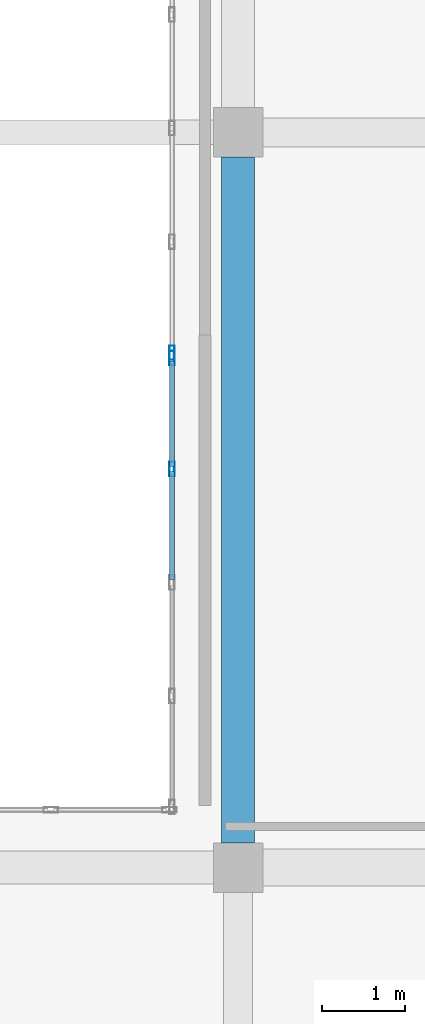
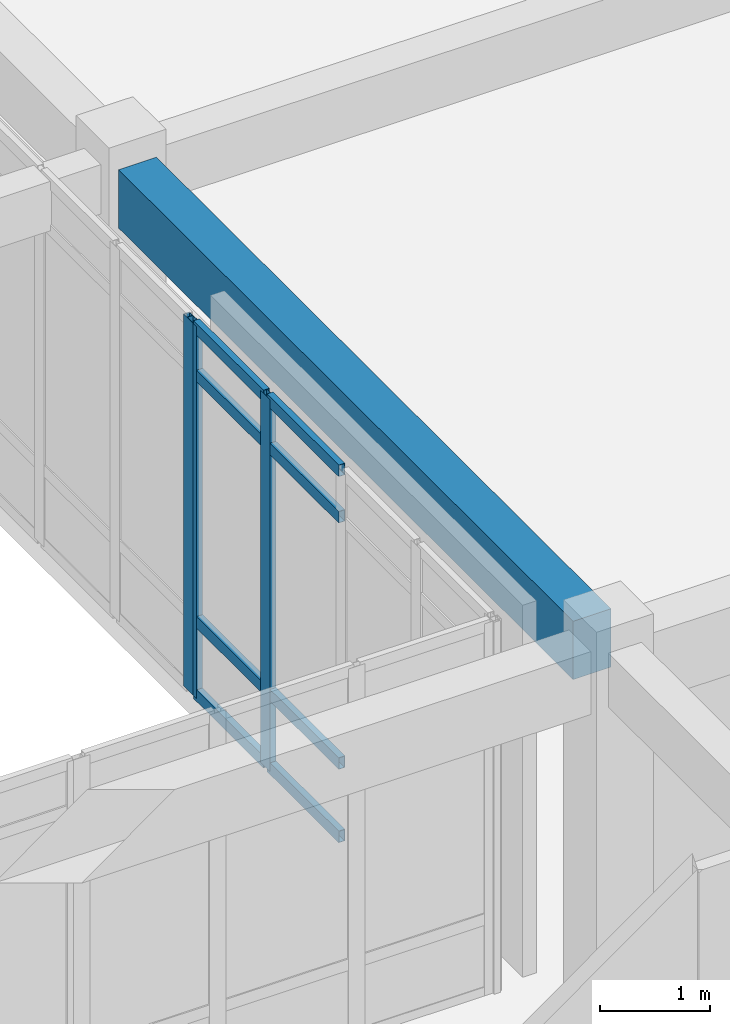
# One storey, part 86 of 142: 11 members, 1 beam, 2 elements without a shape of their own.
"""IFC4 building model written with IfcOpenShell, lengths in metres."""

from ifc_helpers import new_model, si_unit, direction, frame, origin, origin_2d, place, context, subcontext, project, spatial, rectangle, hollow_rectangle, extrude, material, layer, layer_set, material_profile, profile_set, type_object, element, aggregate, save


model = new_model("IFC4")

# Units and contexts
model_context = context("Model", 3, precision=1e-05, world=origin(), true_north=direction((0.0, 1.0)))
body_context = subcontext(model_context, "Body", "Model", "MODEL_VIEW")
ifc_project = project(units=[si_unit("LENGTHUNIT", "METRE"), si_unit("AREAUNIT", "SQUARE_METRE"), si_unit("VOLUMEUNIT", "CUBIC_METRE"), si_unit("PLANEANGLEUNIT", "RADIAN"), si_unit("MASSUNIT", "GRAM", prefix="KILO")], contexts=[model_context])

# Site, building, storey
site_placement = place(None, origin())
site = spatial("IfcSite", under=ifc_project, at=site_placement, CompositionType="ELEMENT")
building_placement = place(site_placement, origin())
building = spatial("IfcBuilding", under=site, at=building_placement, Name="Valcora Specialist Clinic", CompositionType="ELEMENT")
storey_placement = place(building_placement, frame((0.0, 0.0, 5.10009765625)))
storey = spatial("IfcBuildingStorey", under=building, at=storey_placement, Name="L01", CompositionType="ELEMENT", Elevation=5.10009765625)

# Beam
ifc_material_1 = material(Name="Concrete C40/50", Category="concrete")
ifc_material_profile_1 = material_profile(ifc_material_1, rectangle(XDim=0.39990234375, YDim=0.64990234375, at=origin_2d()), Name="RC-BM-400X650")
ifc_profile_set_1 = profile_set([ifc_material_profile_1], Name="Concrete C40/50")
beam_type = type_object("IfcBeamType", Name="TY-BM-RC400X650", PredefinedType="BEAM", material=ifc_profile_set_1)
beam_placement = place(storey_placement, frame((126.0, 81.60009765625, 3.81982421875), z_axis=(0.0, 1.0, 0.0), x_axis=(-1.0, 0.0, 0.0)))
element("IfcBeam", 1, at=beam_placement, inside=storey, type_object=beam_type, Name="Beam BM-L01-0685", PredefinedType="BEAM", context=body_context, shape_type="SweptSolid", body=[
    extrude(rectangle(XDim=0.39990234375, YDim=0.64990234375, at=origin_2d()), origin(), (0.0, 0.0, 1.0), 8.2998046875),
])

# Curtain wall, members
ifc_material_2 = material(Name="Anodized Bronze Aluminium 6063-T6", Category="aluminium")
ifc_layer = layer(ifc_material_2, 0.175048828125)
ifc_layer_set = layer_set([ifc_layer], Name="Anodized Bronze Aluminium 6063-T6")
curtain_wall_type = type_object("IfcCurtainWallType", Name="TY-CW-CRT15", PredefinedType="NOTDEFINED", material=ifc_layer_set)
curtain_wall_1_placement = place(storey_placement, origin())
curtain_wall_1 = element("IfcCurtainWall", 2, at=curtain_wall_1_placement, inside=storey, type_object=curtain_wall_type, Name="Curtain wall CW-L01-076", PredefinedType="NOTDEFINED")
ifc_material_profile_2 = material_profile(ifc_material_2, hollow_rectangle(XDim=0.06494140625, YDim=0.175048828125, WallThickness=0.00390625, at=origin_2d()), Name="AL-MUL-65X175")
ifc_profile_set_2 = profile_set([ifc_material_profile_2], Name="Anodized Bronze Aluminium 6063-T6")
member_type_1 = type_object("IfcMemberType", Name="TY-CWM-65X175", PredefinedType="MULLION", material=ifc_profile_set_2)
member_1_placement = place(storey_placement, frame((125.199951171875, 86.125, 0.0), z_axis=(0.0, 0.0, 1.0), x_axis=(-1.0, 0.0, 0.0)))
member_1 = element("IfcMember", 3, at=member_1_placement, type_object=member_type_1, Name="CW-CRT-15 mullion 4", PredefinedType="MULLION", context=body_context, shape_type="SweptSolid", body=[
    extrude(hollow_rectangle(XDim=0.06494140625, YDim=0.175048828125, WallThickness=0.00390625, at=origin_2d()), origin(), (0.0, 0.0, 1.0), 4.14501953125),
])
member_2_placement = place(storey_placement, frame((125.199951171875, 87.467529296875, 0.0), z_axis=(0.0, 0.0, 1.0), x_axis=(-1.0, 0.0, 0.0)))
member_2 = element("IfcMember", 4, at=member_2_placement, type_object=member_type_1, Name="CW-CRT-15 mullion 5", PredefinedType="MULLION", context=body_context, shape_type="SweptSolid", body=[
    extrude(hollow_rectangle(XDim=0.06494140625, YDim=0.175048828125, WallThickness=0.00390625, at=origin_2d()), origin(), (0.0, 0.0, 1.0), 4.14501953125),
])

# Curtain wall, member
curtain_wall_2_placement = place(storey_placement, origin())
curtain_wall_2 = element("IfcCurtainWall", 5, at=curtain_wall_2_placement, inside=storey, type_object=curtain_wall_type, Name="Curtain wall CW-L01-077", PredefinedType="NOTDEFINED")
member_3_placement = place(storey_placement, frame((125.199951171875, 87.532470703125, 0.0), z_axis=(0.0, 0.0, 1.0), x_axis=(-1.0, 0.0, 0.0)))
member_3 = element("IfcMember", 6, at=member_3_placement, type_object=member_type_1, Name="CW-CRT-15 mullion 1", PredefinedType="MULLION", context=body_context, shape_type="SweptSolid", body=[
    extrude(hollow_rectangle(XDim=0.06494140625, YDim=0.175048828125, WallThickness=0.00390625, at=origin_2d()), origin(), (0.0, 0.0, 1.0), 4.14501953125),
])
aggregate(curtain_wall_2, [member_3])

# Member
ifc_material_profile_3 = material_profile(ifc_material_2, hollow_rectangle(XDim=0.06494140625, YDim=0.1298828125, WallThickness=0.00390625, at=origin_2d()), Name="AL-TRN-65X130")
ifc_profile_set_3 = profile_set([ifc_material_profile_3], Name="Anodized Bronze Aluminium 6063-T6")
member_type_2 = type_object("IfcMemberType", Name="TY-CWT-65X130", PredefinedType="USERDEFINED", material=ifc_profile_set_3)
member_4_placement = place(storey_placement, frame((125.199951171875, 84.782470703125, 0.032470703125), z_axis=(0.0, 1.0, 0.0), x_axis=(-1.0, 0.0, 0.0)))
member_4 = element("IfcMember", 7, at=member_4_placement, type_object=member_type_2, Name="CW-CRT-15 transom 3.1", ObjectType="TRANSOM", PredefinedType="USERDEFINED", context=body_context, shape_type="SweptSolid", body=[
    extrude(hollow_rectangle(XDim=0.06494140625, YDim=0.1298828125, WallThickness=0.00390625, at=origin_2d()), origin(), (0.0, 0.0, 1.0), 1.31005859375),
])

member_5_placement = place(storey_placement, frame((125.199951171875, 84.782470703125, 0.849853515625), z_axis=(0.0, 1.0, 0.0), x_axis=(-1.0, 0.0, 0.0)))
member_5 = element("IfcMember", 8, at=member_5_placement, type_object=member_type_2, Name="CW-CRT-15 transom 3.2", ObjectType="TRANSOM", PredefinedType="USERDEFINED", context=body_context, shape_type="SweptSolid", body=[
    extrude(hollow_rectangle(XDim=0.06494140625, YDim=0.1298828125, WallThickness=0.00390625, at=origin_2d()), origin(), (0.0, 0.0, 1.0), 1.31005859375),
])

member_6_placement = place(storey_placement, frame((125.199951171875, 84.782470703125, 3.594970703125), z_axis=(0.0, 1.0, 0.0), x_axis=(-1.0, 0.0, 0.0)))
member_6 = element("IfcMember", 9, at=member_6_placement, type_object=member_type_2, Name="CW-CRT-15 transom 3.3", ObjectType="TRANSOM", PredefinedType="USERDEFINED", context=body_context, shape_type="SweptSolid", body=[
    extrude(hollow_rectangle(XDim=0.06494140625, YDim=0.1298828125, WallThickness=0.00390625, at=origin_2d()), origin(), (0.0, 0.0, 1.0), 1.31005859375),
])

member_7_placement = place(storey_placement, frame((125.199951171875, 84.782470703125, 4.1123046875), z_axis=(0.0, 1.0, 0.0), x_axis=(-1.0, 0.0, 0.0)))
member_7 = element("IfcMember", 10, at=member_7_placement, type_object=member_type_2, Name="CW-CRT-15 transom 3.4", ObjectType="TRANSOM", PredefinedType="USERDEFINED", context=body_context, shape_type="SweptSolid", body=[
    extrude(hollow_rectangle(XDim=0.06494140625, YDim=0.1298828125, WallThickness=0.00390625, at=origin_2d()), origin(), (0.0, 0.0, 1.0), 1.31005859375),
])

member_8_placement = place(storey_placement, frame((125.199951171875, 86.157470703125, 0.032470703125), z_axis=(0.0, 1.0, 0.0), x_axis=(-1.0, 0.0, 0.0)))
member_8 = element("IfcMember", 11, at=member_8_placement, type_object=member_type_2, Name="CW-CRT-15 transom 4.1", ObjectType="TRANSOM", PredefinedType="USERDEFINED", context=body_context, shape_type="SweptSolid", body=[
    extrude(hollow_rectangle(XDim=0.06494140625, YDim=0.1298828125, WallThickness=0.00390625, at=origin_2d()), origin(), (0.0, 0.0, 1.0), 1.277587890625),
])

member_9_placement = place(storey_placement, frame((125.199951171875, 86.157470703125, 0.849853515625), z_axis=(0.0, 1.0, 0.0), x_axis=(-1.0, 0.0, 0.0)))
member_9 = element("IfcMember", 12, at=member_9_placement, type_object=member_type_2, Name="CW-CRT-15 transom 4.2", ObjectType="TRANSOM", PredefinedType="USERDEFINED", context=body_context, shape_type="SweptSolid", body=[
    extrude(hollow_rectangle(XDim=0.06494140625, YDim=0.1298828125, WallThickness=0.00390625, at=origin_2d()), origin(), (0.0, 0.0, 1.0), 1.277587890625),
])

member_10_placement = place(storey_placement, frame((125.199951171875, 86.157470703125, 3.594970703125), z_axis=(0.0, 1.0, 0.0), x_axis=(-1.0, 0.0, 0.0)))
member_10 = element("IfcMember", 13, at=member_10_placement, type_object=member_type_2, Name="CW-CRT-15 transom 4.3", ObjectType="TRANSOM", PredefinedType="USERDEFINED", context=body_context, shape_type="SweptSolid", body=[
    extrude(hollow_rectangle(XDim=0.06494140625, YDim=0.1298828125, WallThickness=0.00390625, at=origin_2d()), origin(), (0.0, 0.0, 1.0), 1.277587890625),
])

member_11_placement = place(storey_placement, frame((125.199951171875, 86.157470703125, 4.1123046875), z_axis=(0.0, 1.0, 0.0), x_axis=(-1.0, 0.0, 0.0)))
member_11 = element("IfcMember", 14, at=member_11_placement, type_object=member_type_2, Name="CW-CRT-15 transom 4.4", ObjectType="TRANSOM", PredefinedType="USERDEFINED", context=body_context, shape_type="SweptSolid", body=[
    extrude(hollow_rectangle(XDim=0.06494140625, YDim=0.1298828125, WallThickness=0.00390625, at=origin_2d()), origin(), (0.0, 0.0, 1.0), 1.277587890625),
])

aggregate(curtain_wall_1, [member_1, member_2, member_4, member_5, member_6, member_7, member_8, member_9, member_10, member_11])

save(model, "model.ifc")
